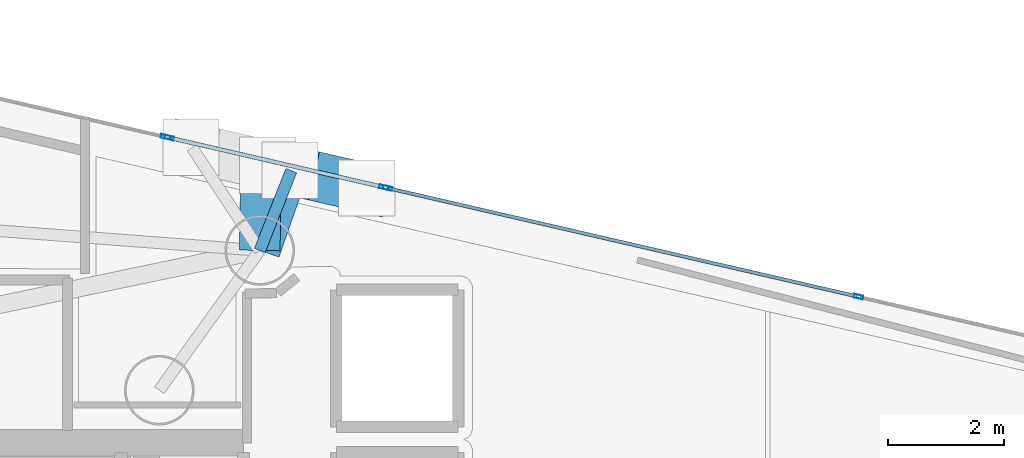
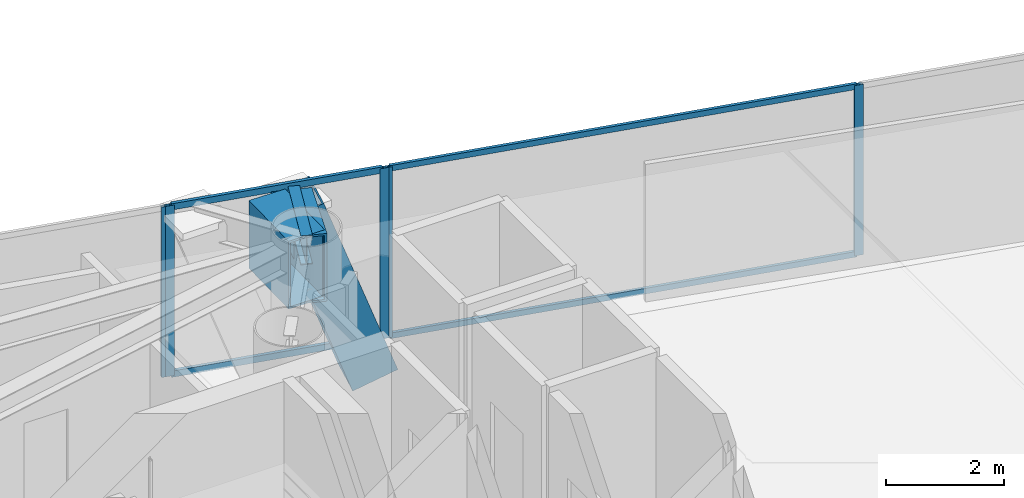
# One storey, part 13 of 22: 10 members, 3 beams, 3 elements without a shape of their own.
"""IFC4 building model written with IfcOpenShell, lengths in metres."""

from ifc_helpers import new_model, si_unit, direction, frame, origin, origin_2d, place, context, subcontext, project, spatial, hollow_rectangle, i_section, extrude, material, layer, layer_set, material_profile, profile_set, type_object, element, aggregate, save


model = new_model("IFC4")

# Units and contexts
model_context = context("Model", 3, precision=1e-05, world=origin(), true_north=direction((0.0, 1.0)))
body_context = subcontext(model_context, "Body", "Model", "MODEL_VIEW")
ifc_project = project(units=[si_unit("LENGTHUNIT", "METRE"), si_unit("AREAUNIT", "SQUARE_METRE"), si_unit("VOLUMEUNIT", "CUBIC_METRE"), si_unit("PLANEANGLEUNIT", "RADIAN"), si_unit("MASSUNIT", "GRAM", prefix="KILO")], contexts=[model_context])

# Site, building, storey
site_placement = place(None, origin())
site = spatial("IfcSite", under=ifc_project, at=site_placement, CompositionType="ELEMENT")
building_placement = place(site_placement, origin())
building = spatial("IfcBuilding", under=site, at=building_placement, Name="Qianvela Tower", CompositionType="ELEMENT")
storey_placement = place(building_placement, frame((0.0, 0.0, 204.0)))
storey = spatial("IfcBuildingStorey", under=building, at=storey_placement, Name="L52", CompositionType="ELEMENT", Elevation=204.0)

# Beams
ifc_material_1 = material(Name="Steel Q355B", Category="steel")
ifc_material_profile_1 = material_profile(ifc_material_1, i_section(OverallWidth=0.199951171875, OverallDepth=0.60009765625, WebThickness=0.010986328125, FlangeThickness=0.01708984375, at=origin_2d()), Name="HN600x200x11x17")
ifc_profile_set_1 = profile_set([ifc_material_profile_1], Name="Steel Q355B")
beam_type_1 = type_object("IfcBeamType", Name="BM-HN600-GIRD", PredefinedType="BEAM", material=ifc_profile_set_1)
beam_placement = place(storey_placement, frame((40.131103515625, 35.9580078125, 3.218017578125), z_axis=(0.367286854439, 0.930107717717, 0.0), x_axis=(-0.930107717717, 0.367286854439, 0.0)))
element("IfcBeam", 1, at=beam_placement, inside=storey, type_object=beam_type_1, Name="L52 Mega-Brace Column Tie Bracket F1-1", PredefinedType="BEAM", context=body_context, shape_type="SweptSolid", body=[
    extrude(i_section(OverallWidth=0.199951171875, OverallDepth=0.60009765625, WebThickness=0.010986328125, FlangeThickness=0.01708984375, at=origin_2d()), origin(), (0.0, 0.0, 1.0), 1.478271484375),
])
ifc_material_2 = material(Name="Steel Q420GJC", Category="steel")
ifc_material_profile_2 = material_profile(ifc_material_2, hollow_rectangle(XDim=0.699951171875, YDim=1.39990234375, WallThickness=0.0400390625, at=origin_2d()), Name="TG-BOX-1400x700x40")
ifc_profile_set_2 = profile_set([ifc_material_profile_2], Name="Steel Q420GJC")
beam_type_2 = type_object("IfcBeamType", Name="BM-TG-STEP-1400", PredefinedType="BEAM", material=ifc_profile_set_2)
for number, where, z_axis, x_axis, name in (
    (2, (40.131103515625, 35.9580078125, 2.81494140625), (0.330208537194, 0.943908005033, 0.0), (-0.943908005033, 0.330208537194, 0.0), "L52 Mega-Brace Zone Base Bracket F1-1"),
    (3, (40.131103515625, 35.9580078125, 2.81494140625), (0.016281027591, 0.999867455286, 0.0), (-0.999867455286, 0.016281027591, 0.0), "L52 Mega-Brace Zone Base Bracket F1-2"),
):
    element("IfcBeam", number, at=place(storey_placement, frame(where, z_axis=z_axis, x_axis=x_axis)), inside=storey, type_object=beam_type_2, Name=name, PredefinedType="BEAM", context=body_context, shape_type="SweptSolid", body=[
        extrude(hollow_rectangle(XDim=0.699951171875, YDim=1.39990234375, WallThickness=0.0400390625, at=origin_2d()), origin(), (0.0, 0.0, 1.0), 1.379638671875),
    ])

# Curtain wall, members
ifc_material_3 = material(Name="Anodised Architectural Aluminium and Insulated Spandrel Panel", Category="aluminium")
ifc_layer_1 = layer(ifc_material_3, 0.179931640625)
ifc_layer_set_1 = layer_set([ifc_layer_1], Name="Anodised Architectural Aluminium and Insulated Spandrel Panel")
curtain_wall_type_1 = type_object("IfcCurtainWallType", Name="CW-BRACEBAY", PredefinedType="USERDEFINED", material=ifc_layer_set_1)
curtain_wall_1_placement = place(storey_placement, origin())
curtain_wall_1 = element("IfcCurtainWall", 4, at=curtain_wall_1_placement, inside=storey, type_object=curtain_wall_type_1, Name="L52 CW-BRACEBAY Curtain Wall 02B", ObjectType="CURTAIN_WALL_SYSTEM", PredefinedType="USERDEFINED")
ifc_material_4 = material(Name="Anodised Architectural Aluminium 6063-T6", Category="aluminium")
ifc_material_profile_3 = material_profile(ifc_material_4, hollow_rectangle(XDim=0.06494140625, YDim=0.159912109375, WallThickness=0.0048828125, at=origin_2d()), Name="ALU-MULL-65x160")
ifc_profile_set_3 = profile_set([ifc_material_profile_3], Name="Anodised Architectural Aluminium 6063-T6")
member_type_1 = type_object("IfcMemberType", Name="CW-BRACEBAY-MULL", PredefinedType="MULLION", material=ifc_profile_set_3)
member_1_placement = place(storey_placement, frame((42.268310546875, 37.047119140625, 0.0), z_axis=(0.0, 0.0, 1.0), x_axis=(-0.224823556533, -0.974399491188, 0.0)))
member_1 = element("IfcMember", 5, at=member_1_placement, type_object=member_type_1, Name="CW-9 mullion 1", PredefinedType="MULLION", context=body_context, shape_type="SweptSolid", body=[
    extrude(hollow_rectangle(XDim=0.06494140625, YDim=0.159912109375, WallThickness=0.0048828125, at=origin_2d()), origin(), (0.0, 0.0, 1.0), 3.52001953125),
])
member_2_placement = place(storey_placement, frame((38.570556640625, 37.900390625, 0.0), z_axis=(0.0, 0.0, 1.0), x_axis=(-0.224823556533, -0.974399491188, 0.0)))
member_2 = element("IfcMember", 6, at=member_2_placement, type_object=member_type_1, Name="CW-9 mullion 2", PredefinedType="MULLION", context=body_context, shape_type="SweptSolid", body=[
    extrude(hollow_rectangle(XDim=0.06494140625, YDim=0.159912109375, WallThickness=0.0048828125, at=origin_2d()), origin(), (0.0, 0.0, 1.0), 3.52001953125),
])
ifc_material_5 = material(Name="Anodised Architectural Aluminium 6063-T6", Category="aluminium")
ifc_material_profile_4 = material_profile(ifc_material_5, hollow_rectangle(XDim=0.06494140625, YDim=0.1298828125, WallThickness=0.00439453125, at=origin_2d()), Name="ALU-TRAN-65x130")
ifc_profile_set_4 = profile_set([ifc_material_profile_4], Name="Anodised Architectural Aluminium 6063-T6")
member_type_2 = type_object("IfcMemberType", Name="CW-BRACEBAY-TRAN", PredefinedType="USERDEFINED", material=ifc_profile_set_4)
member_3_placement = place(storey_placement, frame((42.23681640625, 37.054443359375, 0.032470703125), z_axis=(-0.974397814108, 0.224830824979, 0.0), x_axis=(-0.224830824979, -0.974397814108, 0.0)))
member_3 = element("IfcMember", 7, at=member_3_placement, type_object=member_type_2, Name="CW-9 transom 1.1", ObjectType="TRANSOM", PredefinedType="USERDEFINED", context=body_context, shape_type="SweptSolid", body=[
    extrude(hollow_rectangle(XDim=0.06494140625, YDim=0.1298828125, WallThickness=0.00439453125, at=origin_2d()), origin(), (0.0, 0.0, 1.0), 3.72998046875),
])
member_4_placement = place(storey_placement, frame((42.23681640625, 37.054443359375, 3.487548828125), z_axis=(-0.974397814108, 0.224830824979, 0.0), x_axis=(-0.224830824979, -0.974397814108, 0.0)))
member_4 = element("IfcMember", 8, at=member_4_placement, type_object=member_type_2, Name="CW-9 transom 1.2", ObjectType="TRANSOM", PredefinedType="USERDEFINED", context=body_context, shape_type="SweptSolid", body=[
    extrude(hollow_rectangle(XDim=0.06494140625, YDim=0.1298828125, WallThickness=0.00439453125, at=origin_2d()), origin(), (0.0, 0.0, 1.0), 3.72998046875),
])
aggregate(curtain_wall_1, [member_1, member_2, member_3, member_4])

ifc_material_6 = material(Name="Anodised Architectural Aluminium and Low-E Glass", Category="aluminium")
ifc_layer_2 = layer(ifc_material_6, 0.159912109375)
ifc_layer_set_2 = layer_set([ifc_layer_2], Name="Anodised Architectural Aluminium and Low-E Glass")
curtain_wall_type_2 = type_object("IfcCurtainWallType", Name="CW-COLIV-Z56", PredefinedType="USERDEFINED", material=ifc_layer_set_2)
curtain_wall_2_placement = place(storey_placement, origin())
curtain_wall_2 = element("IfcCurtainWall", 9, at=curtain_wall_2_placement, inside=storey, type_object=curtain_wall_type_2, Name="L52 CW-COLIV-Z56 Curtain Wall 02A", ObjectType="CURTAIN_WALL_SYSTEM", PredefinedType="USERDEFINED")
ifc_material_7 = material(Name="Anodised Architectural Aluminium 6063-T6", Category="aluminium")
ifc_material_profile_5 = material_profile(ifc_material_7, hollow_rectangle(XDim=0.06494140625, YDim=0.159912109375, WallThickness=0.0048828125, at=origin_2d()), Name="ALU-MULL-65x160")
ifc_profile_set_5 = profile_set([ifc_material_profile_5], Name="Anodised Architectural Aluminium 6063-T6")
member_type_3 = type_object("IfcMemberType", Name="CW-COLIV-Z56-MULL", PredefinedType="MULLION", material=ifc_profile_set_5)
member_5_placement = place(storey_placement, frame((50.446044921875, 35.160400390625, 0.0), z_axis=(0.0, 0.0, 1.0), x_axis=(-0.224831551238, -0.974397646532, 0.0)))
member_5 = element("IfcMember", 10, at=member_5_placement, type_object=member_type_3, Name="CW-5 mullion 2", PredefinedType="MULLION", context=body_context, shape_type="SweptSolid", body=[
    extrude(hollow_rectangle(XDim=0.06494140625, YDim=0.159912109375, WallThickness=0.0048828125, at=origin_2d()), origin(), (0.0, 0.0, 1.0), 3.52001953125),
])
member_6_placement = place(storey_placement, frame((42.331787109375, 37.03271484375, 0.0), z_axis=(0.0, 0.0, 1.0), x_axis=(-0.224831551238, -0.974397646532, 0.0)))
member_6 = element("IfcMember", 11, at=member_6_placement, type_object=member_type_3, Name="CW-5 mullion 3", PredefinedType="MULLION", context=body_context, shape_type="SweptSolid", body=[
    extrude(hollow_rectangle(XDim=0.06494140625, YDim=0.159912109375, WallThickness=0.0048828125, at=origin_2d()), origin(), (0.0, 0.0, 1.0), 3.52001953125),
])

# Curtain wall, member
curtain_wall_3_placement = place(storey_placement, origin())
curtain_wall_3 = element("IfcCurtainWall", 12, at=curtain_wall_3_placement, inside=storey, type_object=curtain_wall_type_2, Name="L52 CW-COLIV-Z56 Curtain Wall 02C", ObjectType="CURTAIN_WALL_SYSTEM", PredefinedType="USERDEFINED")
member_7_placement = place(storey_placement, frame((38.50732421875, 37.9150390625, 0.0), z_axis=(0.0, 0.0, 1.0), x_axis=(-0.224835765484, -0.974396674132, 0.0)))
member_7 = element("IfcMember", 13, at=member_7_placement, type_object=member_type_3, Name="CW-5 mullion 1", PredefinedType="MULLION", context=body_context, shape_type="SweptSolid", body=[
    extrude(hollow_rectangle(XDim=0.06494140625, YDim=0.159912109375, WallThickness=0.0048828125, at=origin_2d()), origin(), (0.0, 0.0, 1.0), 3.52001953125),
])
aggregate(curtain_wall_3, [member_7])

# Member
ifc_material_8 = material(Name="Anodised Architectural Aluminium 6063-T6", Category="aluminium")
ifc_material_profile_6 = material_profile(ifc_material_8, hollow_rectangle(XDim=0.06005859375, YDim=0.114990234375, WallThickness=0.00390625, at=origin_2d()), Name="ALU-TRAN-60x115")
ifc_profile_set_6 = profile_set([ifc_material_profile_6], Name="Anodised Architectural Aluminium 6063-T6")
member_type_4 = type_object("IfcMemberType", Name="CW-COLIV-Z56-TRAN", PredefinedType="USERDEFINED", material=ifc_profile_set_6)
member_8_placement = place(storey_placement, frame((50.41455078125, 35.167724609375, 0.030029296875), z_axis=(-0.974398167182, 0.224829294784, 0.0), x_axis=(-0.224829294784, -0.974398167182, 0.0)))
member_8 = element("IfcMember", 14, at=member_8_placement, type_object=member_type_4, Name="CW-5 transom 2.1", ObjectType="TRANSOM", PredefinedType="USERDEFINED", context=body_context, shape_type="SweptSolid", body=[
    extrude(hollow_rectangle(XDim=0.06005859375, YDim=0.114990234375, WallThickness=0.00390625, at=origin_2d()), origin(), (0.0, 0.0, 1.0), 8.262451171875),
])

member_9_placement = place(storey_placement, frame((50.41455078125, 35.167724609375, 3.489990234375), z_axis=(-0.974398167182, 0.224829294784, 0.0), x_axis=(-0.224829294784, -0.974398167182, 0.0)))
member_9 = element("IfcMember", 15, at=member_9_placement, type_object=member_type_4, Name="CW-5 transom 2.2", ObjectType="TRANSOM", PredefinedType="USERDEFINED", context=body_context, shape_type="SweptSolid", body=[
    extrude(hollow_rectangle(XDim=0.06005859375, YDim=0.114990234375, WallThickness=0.00390625, at=origin_2d()), origin(), (0.0, 0.0, 1.0), 8.262451171875),
])

aggregate(curtain_wall_2, [member_5, member_6, member_8, member_9])

ifc_material_9 = material(Name="Steel Q420GJC", Category="steel")
ifc_material_profile_7 = material_profile(ifc_material_9, hollow_rectangle(XDim=0.85009765625, YDim=0.85009765625, WallThickness=0.031982421875, at=origin_2d()), Name="MBOX-850x850x32")
ifc_profile_set_7 = profile_set([ifc_material_profile_7], Name="Steel Q420GJC")
member_type_5 = type_object("IfcMemberType", Name="MBR-MBRACE-850", PredefinedType="BRACE", material=ifc_profile_set_7)
member_10_placement = place(storey_placement, frame((41.952880859375, 37.037841796875, -0.48193359375), z_axis=(-0.325742520767, 0.075185702101, 0.942464280683), x_axis=(-0.224900264071, -0.974381789249, 0.0)))
element("IfcMember", 16, at=member_10_placement, inside=storey, type_object=member_type_5, Name="L52 Tier 8 Exterior Mega-Brace F1A", PredefinedType="BRACE", context=body_context, shape_type="SweptSolid", body=[
    extrude(hollow_rectangle(XDim=0.85009765625, YDim=0.85009765625, WallThickness=0.031982421875, at=origin_2d()), origin(), (0.0, 0.0, 1.0), 3.92578125),
])

save(model, "model.ifc")
